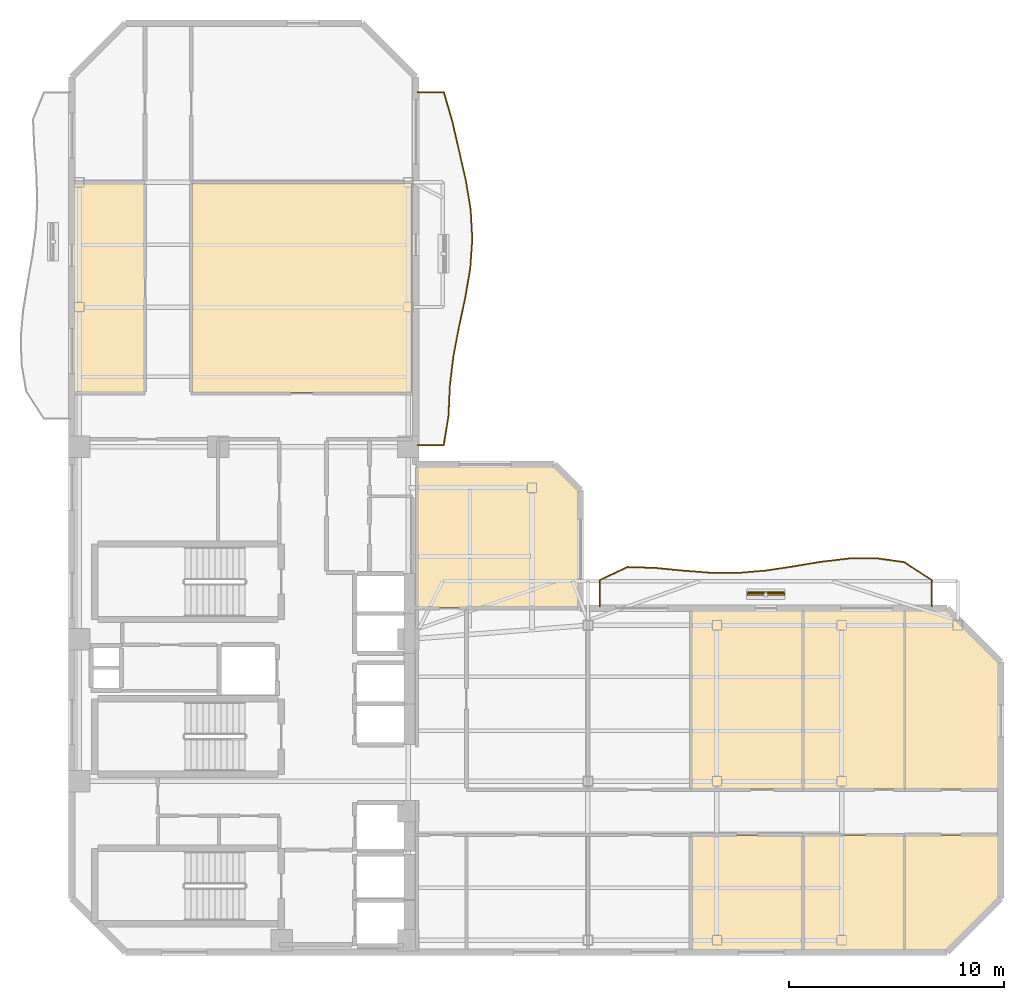
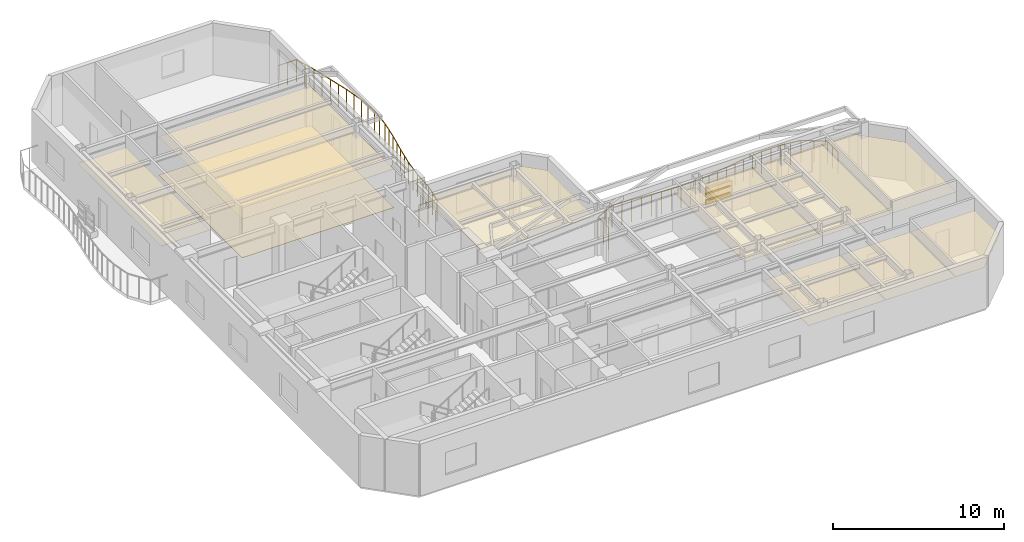
# One storey, part 8 of 9: 10 coverings, 4 shading devices, 2 railings.
"""IFC4 building model written with IfcOpenShell, lengths in metres."""

from ifc_helpers import new_model, si_unit, direction, frame, origin, origin_2d, place, context, subcontext, project, spatial, polyline, rectangle, outline, extrude, material, layer, layer_set, material_profile, profile_set, type_object, element, save


model = new_model("IFC4")

# Units and contexts
model_context = context("Model", 3, precision=1e-05, world=origin(), true_north=direction((0.0, 1.0)))
body_context = subcontext(model_context, "Body", "Model", "MODEL_VIEW")
ifc_project = project(units=[si_unit("LENGTHUNIT", "METRE"), si_unit("AREAUNIT", "SQUARE_METRE"), si_unit("VOLUMEUNIT", "CUBIC_METRE"), si_unit("PLANEANGLEUNIT", "RADIAN"), si_unit("MASSUNIT", "GRAM", prefix="KILO")], contexts=[model_context])

# Site, building, storey
site_placement = place(None, origin())
site = spatial("IfcSite", under=ifc_project, at=site_placement, CompositionType="ELEMENT")
building_placement = place(site_placement, origin())
building = spatial("IfcBuilding", under=site, at=building_placement, Name="Mawjaban Terraces University", CompositionType="ELEMENT")
storey_placement = place(building_placement, frame((0.0, 0.0, 210.89990234375)))
storey = spatial("IfcBuildingStorey", under=building, at=storey_placement, Name="L51", CompositionType="ELEMENT", Elevation=210.89990234375)

# Coverings
ifc_material_1 = material(Name="Acoustic mineral fibre ceiling tile", Category="masonry")
ifc_layer_1 = layer(ifc_material_1, 0.02001953125)
ifc_layer_set_1 = layer_set([ifc_layer_1], Name="Acoustic mineral fibre ceiling tile")
covering_type_1 = type_object("IfcCoveringType", Name="AcousticMineralCeiling_20", PredefinedType="CEILING", material=ifc_layer_set_1)
covering_1_placement = place(storey_placement, frame((0.0, 0.0, 2.75)))
element("IfcCovering", 1, at=covering_1_placement, inside=storey, type_object=covering_type_1, Name="L51 Design Studio 6 Acoustic Ceiling", PredefinedType="CEILING", context=body_context, shape_type="SweptSolid", body=[
    extrude(outline(polyline([(50.81689453125, 0.114990234375), (55.97607421875, 0.114990234375), (55.97607421875, 5.419921875), (50.81689453125, 5.419921875), (50.81689453125, 0.114990234375)])), origin(), (0.0, 0.0, 1.0), 0.02001953125),
])
covering_2_placement = place(storey_placement, frame((0.0, 0.0, 2.75)))
element("IfcCovering", 2, at=covering_2_placement, inside=storey, type_object=covering_type_1, Name="L51 Computational Laboratory 7 Acoustic Ceiling", PredefinedType="CEILING", context=body_context, shape_type="SweptSolid", body=[
    extrude(outline(polyline([(55.97607421875, 15.885009765625), (50.81689453125, 15.885009765625), (50.81689453125, 7.580078125), (55.97607421875, 7.580078125), (55.97607421875, 15.885009765625)])), origin(), (0.0, 0.0, 1.0), 0.02001953125),
])
covering_3_placement = place(storey_placement, frame((0.0, 0.0, 2.75)))
element("IfcCovering", 3, at=covering_3_placement, inside=storey, type_object=covering_type_1, Name="L51 Teaching Laboratory 8 Acoustic Ceiling", PredefinedType="CEILING", context=body_context, shape_type="SweptSolid", body=[
    extrude(outline(polyline([(56.035888671875, 0.114990234375), (60.697021484375, 0.114990234375), (60.697021484375, 5.419921875), (56.035888671875, 5.419921875), (56.035888671875, 0.114990234375)])), origin(), (0.0, 0.0, 1.0), 0.02001953125),
])
covering_4_placement = place(storey_placement, frame((0.0, 0.0, 2.75)))
element("IfcCovering", 4, at=covering_4_placement, inside=storey, type_object=covering_type_1, Name="L51 Student Tea Pantry 9 Acoustic Ceiling", PredefinedType="CEILING", context=body_context, shape_type="SweptSolid", body=[
    extrude(outline(polyline([(60.697021484375, 15.885009765625), (56.035888671875, 15.885009765625), (56.035888671875, 7.580078125), (60.697021484375, 7.580078125), (60.697021484375, 15.885009765625)])), origin(), (0.0, 0.0, 1.0), 0.02001953125),
])
covering_5_placement = place(storey_placement, frame((0.0, 0.0, 2.75)))
element("IfcCovering", 5, at=covering_5_placement, inside=storey, type_object=covering_type_1, Name="L51 Student Tea Pantry 10 Acoustic Ceiling", PredefinedType="CEILING", context=body_context, shape_type="SweptSolid", body=[
    extrude(outline(polyline([(60.757080078125, 0.114990234375), (62.653076171875, 0.114990234375), (65.0849609375, 2.547119140625), (65.0849609375, 5.419921875), (60.757080078125, 5.419921875), (60.757080078125, 0.114990234375)])), origin(), (0.0, 0.0, 1.0), 0.02001953125),
])
covering_6_placement = place(storey_placement, frame((0.0, 0.0, 2.75)))
element("IfcCovering", 6, at=covering_6_placement, inside=storey, type_object=covering_type_1, Name="L51 Faculty Office 11 Acoustic Ceiling", PredefinedType="CEILING", context=body_context, shape_type="SweptSolid", body=[
    extrude(outline(polyline([(65.0849609375, 7.580078125), (65.0849609375, 13.452880859375), (62.653076171875, 15.885009765625), (60.757080078125, 15.885009765625), (60.757080078125, 7.580078125), (65.0849609375, 7.580078125)])), origin(), (0.0, 0.0, 1.0), 0.02001953125),
])
covering_7_placement = place(storey_placement, frame((0.0, 0.0, 2.75)))
element("IfcCovering", 7, at=covering_7_placement, inside=storey, type_object=covering_type_1, Name="L51 Departmental Office 12 Acoustic Ceiling", PredefinedType="CEILING", context=body_context, shape_type="SweptSolid", body=[
    extrude(outline(polyline([(22.114990234375, 35.77001953125), (22.114990234375, 26.030029296875), (25.3701171875, 26.030029296875), (25.3701171875, 35.77001953125), (22.114990234375, 35.77001953125)])), origin(), (0.0, 0.0, 1.0), 0.02001953125),
])
covering_8_placement = place(storey_placement, frame((0.0, 0.0, 2.75)))
element("IfcCovering", 8, at=covering_8_placement, inside=storey, type_object=covering_type_1, Name="L51 Classroom 13 Acoustic Ceiling", PredefinedType="CEILING", context=body_context, shape_type="SweptSolid", body=[
    extrude(outline(polyline([(37.820068359375, 26.030029296875), (37.820068359375, 35.77001953125), (27.580078125, 35.77001953125), (27.580078125, 26.030029296875), (37.820068359375, 26.030029296875)])), origin(), (0.0, 0.0, 1.0), 0.02001953125),
])
covering_9_placement = place(storey_placement, frame((0.0, 0.0, 2.75)))
element("IfcCovering", 9, at=covering_9_placement, inside=storey, type_object=covering_type_1, Name="L51 Terrace Collaborative Study Room Acoustic Ceiling", PredefinedType="CEILING", context=body_context, shape_type="SweptSolid", body=[
    extrude(outline(polyline([(45.534912109375, 16.030029296875), (45.534912109375, 21.43603515625), (44.403076171875, 22.568115234375), (38.080078125, 22.568115234375), (38.080078125, 16.030029296875), (45.534912109375, 16.030029296875)])), origin(), (0.0, 0.0, 1.0), 0.02001953125),
])

# Railings
ifc_material_2 = material(Name="Galvanised powder-coated steel S355", Category="steel")
railing_type = type_object("IfcRailingType", Name="BalconyBalustrade_1600", PredefinedType="BALUSTRADE", material=ifc_material_2)
railing_1_placement = place(storey_placement, frame((46.550048828125, 16.080078125, 0.0)))
element("IfcRailing", 10, at=railing_1_placement, inside=storey, type_object=railing_type, Name="L51 Balcony Guardrail inner_north", PredefinedType="BALUSTRADE", context=body_context, shape_type="SweptSolid", body=[
    extrude(rectangle(XDim=0.048095703125, YDim=0.048095703125, at=origin_2d()), frame((0.0, 0.0, 1.576171875), z_axis=(0.0, 1.0, 0.0), x_axis=(-1.0, 0.0, 0.0)), (0.0, 0.0, 1.0), 1.219970703125),
    extrude(rectangle(XDim=0.048095703125, YDim=0.048095703125, at=origin_2d()), frame((0.0, 1.219970703125, 1.576171875), z_axis=(0.902794023945, 0.430073191828, 0.0), x_axis=(-0.430073191828, 0.902794023945, 0.0)), (0.0, 0.0, 1.0), 1.425537109375),
    extrude(rectangle(XDim=0.048095703125, YDim=0.048095703125, at=origin_2d()), frame((1.286865234375, 1.8330078125, 1.576171875), z_axis=(0.999517237479, -0.031069148398, 0.0), x_axis=(0.031069148398, 0.999517237479, 0.0)), (0.0, 0.0, 1.0), 1.288818359375),
    extrude(rectangle(XDim=0.048095703125, YDim=0.048095703125, at=origin_2d()), frame((2.574951171875, 1.79296875, 1.576171875), z_axis=(0.995317258019, -0.096662070582, 0.0), x_axis=(0.096662070582, 0.995317258019, 0.0)), (0.0, 0.0, 1.0), 1.293212890625),
    extrude(rectangle(XDim=0.048095703125, YDim=0.048095703125, at=origin_2d()), frame((3.862060546875, 1.66796875, 1.576171875), z_axis=(0.996934332319, -0.078242808262, 0.0), x_axis=(0.078242808262, 0.996934332319, 0.0)), (0.0, 0.0, 1.0), 1.291748046875),
    extrude(rectangle(XDim=0.048095703125, YDim=0.048095703125, at=origin_2d()), frame((5.14990234375, 1.56689453125, 1.576171875), z_axis=(0.999989638206, -0.004552304878, 0.0), x_axis=(0.004552304878, 0.999989638206, 0.0)), (0.0, 0.0, 1.0), 1.287109375),
    extrude(rectangle(XDim=0.048095703125, YDim=0.048095703125, at=origin_2d()), frame((6.43701171875, 1.56103515625, 1.576171875), z_axis=(0.99650787282, 0.083498858727, 0.0), x_axis=(-0.083498858727, 0.99650787282, 0.0)), (0.0, 0.0, 1.0), 1.292236328125),
    extrude(rectangle(XDim=0.048095703125, YDim=0.048095703125, at=origin_2d()), frame((7.724853515625, 1.6689453125, 1.576171875), z_axis=(0.988709611277, 0.149844267718, 0.0), x_axis=(-0.149844267718, 0.988709611277, 0.0)), (0.0, 0.0, 1.0), 1.3017578125),
    extrude(rectangle(XDim=0.048095703125, YDim=0.048095703125, at=origin_2d()), frame((9.011962890625, 1.864013671875, 1.576171875), z_axis=(0.986373705044, 0.164520254063, 0.0), x_axis=(-0.164520254063, 0.986373705044, 0.0)), (0.0, 0.0, 1.0), 1.305908203125),
    extrude(rectangle(XDim=0.048095703125, YDim=0.048095703125, at=origin_2d()), frame((10.300048828125, 2.078857421875, 1.576171875), z_axis=(0.993272166534, 0.115803295245, 0.0), x_axis=(-0.115803295245, 0.993272166534, 0.0)), (0.0, 0.0, 1.0), 1.296630859375),
    extrude(rectangle(XDim=0.048095703125, YDim=0.048095703125, at=origin_2d()), frame((11.587890625, 2.22900390625, 1.576171875), z_axis=(0.999956809998, 0.009293984008, 0.0), x_axis=(-0.009293984008, 0.999956809998, 0.0)), (0.0, 0.0, 1.0), 1.287109375),
    extrude(rectangle(XDim=0.048095703125, YDim=0.048095703125, at=origin_2d()), frame((12.875, 2.240966796875, 1.576171875), z_axis=(0.990365982476, -0.13847462134, 0.0), x_axis=(0.13847462134, 0.990365982476, 0.0)), (0.0, 0.0, 1.0), 1.29931640625),
    extrude(rectangle(XDim=0.048095703125, YDim=0.048095703125, at=origin_2d()), frame((14.161865234375, 2.06103515625, 1.576171875), z_axis=(0.837310536867, -0.546727596571, 0.0), x_axis=(0.546727596571, 0.837310536867, 0.0)), (0.0, 0.0, 1.0), 1.538330078125),
    extrude(rectangle(XDim=0.048095703125, YDim=0.048095703125, at=origin_2d()), frame((15.449951171875, 1.219970703125, 1.576171875), z_axis=(0.0, -1.0, 0.0), x_axis=(1.0, 0.0, 0.0)), (0.0, 0.0, 1.0), 1.219970703125),
    extrude(rectangle(XDim=0.0419921875, YDim=0.0419921875, at=origin_2d()), origin(), (0.0, 0.0, 1.0), 1.552001953125),
    extrude(rectangle(XDim=0.0419921875, YDim=0.0419921875, at=origin_2d()), frame((0.0, 0.60986328125, 0.0)), (0.0, 0.0, 1.0), 1.552001953125),
    extrude(rectangle(XDim=0.0419921875, YDim=0.0419921875, at=origin_2d()), frame((0.0, 1.219970703125, 0.0)), (0.0, 0.0, 1.0), 1.552001953125),
    extrude(rectangle(XDim=0.0419921875, YDim=0.0419921875, at=origin_2d()), frame((0.6435546875, 1.5263671875, 0.0)), (0.0, 0.0, 1.0), 1.552001953125),
    extrude(rectangle(XDim=0.0419921875, YDim=0.0419921875, at=origin_2d()), frame((1.286865234375, 1.8330078125, 0.0)), (0.0, 0.0, 1.0), 1.552001953125),
    extrude(rectangle(XDim=0.0419921875, YDim=0.0419921875, at=origin_2d()), frame((1.930908203125, 1.81298828125, 0.0)), (0.0, 0.0, 1.0), 1.552001953125),
    extrude(rectangle(XDim=0.0419921875, YDim=0.0419921875, at=origin_2d()), frame((2.574951171875, 1.79296875, 0.0)), (0.0, 0.0, 1.0), 1.552001953125),
    extrude(rectangle(XDim=0.0419921875, YDim=0.0419921875, at=origin_2d()), frame((3.218505859375, 1.73046875, 0.0)), (0.0, 0.0, 1.0), 1.552001953125),
    extrude(rectangle(XDim=0.0419921875, YDim=0.0419921875, at=origin_2d()), frame((3.862060546875, 1.66796875, 0.0)), (0.0, 0.0, 1.0), 1.552001953125),
    extrude(rectangle(XDim=0.0419921875, YDim=0.0419921875, at=origin_2d()), frame((4.505859375, 1.617431640625, 0.0)), (0.0, 0.0, 1.0), 1.552001953125),
    extrude(rectangle(XDim=0.0419921875, YDim=0.0419921875, at=origin_2d()), frame((5.14990234375, 1.56689453125, 0.0)), (0.0, 0.0, 1.0), 1.552001953125),
    extrude(rectangle(XDim=0.0419921875, YDim=0.0419921875, at=origin_2d()), frame((5.79345703125, 1.56396484375, 0.0)), (0.0, 0.0, 1.0), 1.552001953125),
    extrude(rectangle(XDim=0.0419921875, YDim=0.0419921875, at=origin_2d()), frame((6.43701171875, 1.56103515625, 0.0)), (0.0, 0.0, 1.0), 1.552001953125),
    extrude(rectangle(XDim=0.0419921875, YDim=0.0419921875, at=origin_2d()), frame((7.0810546875, 1.614990234375, 0.0)), (0.0, 0.0, 1.0), 1.552001953125),
    extrude(rectangle(XDim=0.0419921875, YDim=0.0419921875, at=origin_2d()), frame((7.724853515625, 1.6689453125, 0.0)), (0.0, 0.0, 1.0), 1.552001953125),
    extrude(rectangle(XDim=0.0419921875, YDim=0.0419921875, at=origin_2d()), frame((8.368408203125, 1.7666015625, 0.0)), (0.0, 0.0, 1.0), 1.552001953125),
    extrude(rectangle(XDim=0.0419921875, YDim=0.0419921875, at=origin_2d()), frame((9.011962890625, 1.864013671875, 0.0)), (0.0, 0.0, 1.0), 1.552001953125),
    extrude(rectangle(XDim=0.0419921875, YDim=0.0419921875, at=origin_2d()), frame((9.656005859375, 1.971435546875, 0.0)), (0.0, 0.0, 1.0), 1.552001953125),
    extrude(rectangle(XDim=0.0419921875, YDim=0.0419921875, at=origin_2d()), frame((10.300048828125, 2.078857421875, 0.0)), (0.0, 0.0, 1.0), 1.552001953125),
    extrude(rectangle(XDim=0.0419921875, YDim=0.0419921875, at=origin_2d()), frame((10.94384765625, 2.15380859375, 0.0)), (0.0, 0.0, 1.0), 1.552001953125),
    extrude(rectangle(XDim=0.0419921875, YDim=0.0419921875, at=origin_2d()), frame((11.587890625, 2.22900390625, 0.0)), (0.0, 0.0, 1.0), 1.552001953125),
    extrude(rectangle(XDim=0.0419921875, YDim=0.0419921875, at=origin_2d()), frame((12.2314453125, 2.23486328125, 0.0)), (0.0, 0.0, 1.0), 1.552001953125),
    extrude(rectangle(XDim=0.0419921875, YDim=0.0419921875, at=origin_2d()), frame((12.875, 2.240966796875, 0.0)), (0.0, 0.0, 1.0), 1.552001953125),
    extrude(rectangle(XDim=0.0419921875, YDim=0.0419921875, at=origin_2d()), frame((13.5185546875, 2.15087890625, 0.0)), (0.0, 0.0, 1.0), 1.552001953125),
    extrude(rectangle(XDim=0.0419921875, YDim=0.0419921875, at=origin_2d()), frame((14.161865234375, 2.06103515625, 0.0)), (0.0, 0.0, 1.0), 1.552001953125),
    extrude(rectangle(XDim=0.0419921875, YDim=0.0419921875, at=origin_2d()), frame((14.805908203125, 1.640625, 0.0)), (0.0, 0.0, 1.0), 1.552001953125),
    extrude(rectangle(XDim=0.0419921875, YDim=0.0419921875, at=origin_2d()), frame((15.449951171875, 1.219970703125, 0.0)), (0.0, 0.0, 1.0), 1.552001953125),
    extrude(rectangle(XDim=0.0419921875, YDim=0.0419921875, at=origin_2d()), frame((15.449951171875, 0.60986328125, 0.0)), (0.0, 0.0, 1.0), 1.552001953125),
    extrude(rectangle(XDim=0.0419921875, YDim=0.0419921875, at=origin_2d()), frame((15.449951171875, 0.0, 0.0)), (0.0, 0.0, 1.0), 1.552001953125),
])
railing_2_placement = place(storey_placement, frame((38.080078125, 23.5830078125, 0.0)))
element("IfcRailing", 11, at=railing_2_placement, inside=storey, type_object=railing_type, Name="L51 Balcony Guardrail inner_east", PredefinedType="BALUSTRADE", context=body_context, shape_type="SweptSolid", body=[
    extrude(rectangle(XDim=0.048095703125, YDim=0.048095703125, at=origin_2d()), frame((0.0, 0.0, 1.576171875), z_axis=(1.0, 0.0, 0.0), x_axis=(0.0, 1.0, 0.0)), (0.0, 0.0, 1.0), 1.219970703125),
    extrude(rectangle(XDim=0.048095703125, YDim=0.048095703125, at=origin_2d()), frame((1.219970703125, 0.0, 1.576171875), z_axis=(0.158767049777, 0.987316070924, 0.0), x_axis=(-0.987316070924, 0.158767049777, 0.0)), (0.0, 0.0, 1.0), 1.385498046875),
    extrude(rectangle(XDim=0.048095703125, YDim=0.048095703125, at=origin_2d()), frame((1.43994140625, 1.367919921875, 1.576171875), z_axis=(0.044566667223, 0.999006412478, 0.0), x_axis=(-0.999006412478, 0.044566667223, 0.0)), (0.0, 0.0, 1.0), 1.36962890625),
    extrude(rectangle(XDim=0.048095703125, YDim=0.048095703125, at=origin_2d()), frame((1.5009765625, 2.736083984375, 1.576171875), z_axis=(0.11820872912, 0.992988769503, 0.0), x_axis=(-0.992988769503, 0.11820872912, 0.0)), (0.0, 0.0, 1.0), 1.377685546875),
    extrude(rectangle(XDim=0.048095703125, YDim=0.048095703125, at=origin_2d()), frame((1.663818359375, 4.10400390625, 1.576171875), z_axis=(0.186056389614, 0.982539067866, 0.0), x_axis=(-0.982539067866, 0.186056389614, 0.0)), (0.0, 0.0, 1.0), 1.392333984375),
    extrude(rectangle(XDim=0.048095703125, YDim=0.048095703125, at=origin_2d()), frame((1.9228515625, 5.471923828125, 1.576171875), z_axis=(0.209386091111, 0.977833045488, 0.0), x_axis=(-0.977833045488, 0.209386091111, 0.0)), (0.0, 0.0, 1.0), 1.399169921875),
    extrude(rectangle(XDim=0.048095703125, YDim=0.048095703125, at=origin_2d()), frame((2.2158203125, 6.840087890625, 1.576171875), z_axis=(0.1687050248, 0.985666583895, 0.0), x_axis=(-0.985666583895, 0.1687050248, 0.0)), (0.0, 0.0, 1.0), 1.3876953125),
    extrude(rectangle(XDim=0.048095703125, YDim=0.048095703125, at=origin_2d()), frame((2.449951171875, 8.2080078125, 1.576171875), z_axis=(0.070627536064, 0.997502757465, 0.0), x_axis=(-0.997502757465, 0.070627536064, 0.0)), (0.0, 0.0, 1.0), 1.372314453125),
    extrude(rectangle(XDim=0.048095703125, YDim=0.048095703125, at=origin_2d()), frame((2.546875, 9.576904296875, 1.576171875), z_axis=(-0.055410812325, 0.998463640739, 0.0), x_axis=(-0.998463640739, -0.055410812325, 0.0)), (0.0, 0.0, 1.0), 1.370361328125),
    extrude(rectangle(XDim=0.048095703125, YDim=0.048095703125, at=origin_2d()), frame((2.470947265625, 10.945068359375, 1.576171875), z_axis=(-0.164427535336, 0.986389165402, 0.0), x_axis=(-0.986389165402, -0.164427535336, 0.0)), (0.0, 0.0, 1.0), 1.38671875),
    extrude(rectangle(XDim=0.048095703125, YDim=0.048095703125, at=origin_2d()), frame((2.242919921875, 12.31298828125, 1.576171875), z_axis=(-0.221718889564, 0.97511062655, 0.0), x_axis=(-0.97511062655, -0.221718889564, 0.0)), (0.0, 0.0, 1.0), 1.40283203125),
    extrude(rectangle(XDim=0.048095703125, YDim=0.048095703125, at=origin_2d()), frame((1.931884765625, 13.680908203125, 1.576171875), z_axis=(-0.223004280965, 0.974817465309, 0.0), x_axis=(-0.974817465309, -0.223004280965, 0.0)), (0.0, 0.0, 1.0), 1.403564453125),
    extrude(rectangle(XDim=0.048095703125, YDim=0.048095703125, at=origin_2d()), frame((1.618896484375, 15.049072265625, 1.576171875), z_axis=(-0.279967102844, 0.960009594392, 0.0), x_axis=(-0.960009594392, -0.279967102844, 0.0)), (0.0, 0.0, 1.0), 1.4248046875),
    extrude(rectangle(XDim=0.048095703125, YDim=0.048095703125, at=origin_2d()), frame((1.219970703125, 16.4169921875, 1.576171875), z_axis=(-1.0, 0.0, 0.0), x_axis=(0.0, -1.0, 0.0)), (0.0, 0.0, 1.0), 1.219970703125),
    extrude(rectangle(XDim=0.0419921875, YDim=0.0419921875, at=origin_2d()), origin(), (0.0, 0.0, 1.0), 1.552001953125),
    extrude(rectangle(XDim=0.0419921875, YDim=0.0419921875, at=origin_2d()), frame((0.60986328125, 0.0, 0.0)), (0.0, 0.0, 1.0), 1.552001953125),
    extrude(rectangle(XDim=0.0419921875, YDim=0.0419921875, at=origin_2d()), frame((1.219970703125, 0.0, 0.0)), (0.0, 0.0, 1.0), 1.552001953125),
    extrude(rectangle(XDim=0.0419921875, YDim=0.0419921875, at=origin_2d()), frame((1.330078125, 0.68408203125, 0.0)), (0.0, 0.0, 1.0), 1.552001953125),
    extrude(rectangle(XDim=0.0419921875, YDim=0.0419921875, at=origin_2d()), frame((1.43994140625, 1.367919921875, 0.0)), (0.0, 0.0, 1.0), 1.552001953125),
    extrude(rectangle(XDim=0.0419921875, YDim=0.0419921875, at=origin_2d()), frame((1.470458984375, 2.052001953125, 0.0)), (0.0, 0.0, 1.0), 1.552001953125),
    extrude(rectangle(XDim=0.0419921875, YDim=0.0419921875, at=origin_2d()), frame((1.5009765625, 2.736083984375, 0.0)), (0.0, 0.0, 1.0), 1.552001953125),
    extrude(rectangle(XDim=0.0419921875, YDim=0.0419921875, at=origin_2d()), frame((1.58251953125, 3.419921875, 0.0)), (0.0, 0.0, 1.0), 1.552001953125),
    extrude(rectangle(XDim=0.0419921875, YDim=0.0419921875, at=origin_2d()), frame((1.663818359375, 4.10400390625, 0.0)), (0.0, 0.0, 1.0), 1.552001953125),
    extrude(rectangle(XDim=0.0419921875, YDim=0.0419921875, at=origin_2d()), frame((1.79345703125, 4.7880859375, 0.0)), (0.0, 0.0, 1.0), 1.552001953125),
    extrude(rectangle(XDim=0.0419921875, YDim=0.0419921875, at=origin_2d()), frame((1.9228515625, 5.471923828125, 0.0)), (0.0, 0.0, 1.0), 1.552001953125),
    extrude(rectangle(XDim=0.0419921875, YDim=0.0419921875, at=origin_2d()), frame((2.0693359375, 6.156005859375, 0.0)), (0.0, 0.0, 1.0), 1.552001953125),
    extrude(rectangle(XDim=0.0419921875, YDim=0.0419921875, at=origin_2d()), frame((2.2158203125, 6.840087890625, 0.0)), (0.0, 0.0, 1.0), 1.552001953125),
    extrude(rectangle(XDim=0.0419921875, YDim=0.0419921875, at=origin_2d()), frame((2.3330078125, 7.52392578125, 0.0)), (0.0, 0.0, 1.0), 1.552001953125),
    extrude(rectangle(XDim=0.0419921875, YDim=0.0419921875, at=origin_2d()), frame((2.449951171875, 8.2080078125, 0.0)), (0.0, 0.0, 1.0), 1.552001953125),
    extrude(rectangle(XDim=0.0419921875, YDim=0.0419921875, at=origin_2d()), frame((2.49853515625, 8.892578125, 0.0)), (0.0, 0.0, 1.0), 1.552001953125),
    extrude(rectangle(XDim=0.0419921875, YDim=0.0419921875, at=origin_2d()), frame((2.546875, 9.576904296875, 0.0)), (0.0, 0.0, 1.0), 1.552001953125),
    extrude(rectangle(XDim=0.0419921875, YDim=0.0419921875, at=origin_2d()), frame((2.5087890625, 10.260986328125, 0.0)), (0.0, 0.0, 1.0), 1.552001953125),
    extrude(rectangle(XDim=0.0419921875, YDim=0.0419921875, at=origin_2d()), frame((2.470947265625, 10.945068359375, 0.0)), (0.0, 0.0, 1.0), 1.552001953125),
    extrude(rectangle(XDim=0.0419921875, YDim=0.0419921875, at=origin_2d()), frame((2.35693359375, 11.62890625, 0.0)), (0.0, 0.0, 1.0), 1.552001953125),
    extrude(rectangle(XDim=0.0419921875, YDim=0.0419921875, at=origin_2d()), frame((2.242919921875, 12.31298828125, 0.0)), (0.0, 0.0, 1.0), 1.552001953125),
    extrude(rectangle(XDim=0.0419921875, YDim=0.0419921875, at=origin_2d()), frame((2.08740234375, 12.9970703125, 0.0)), (0.0, 0.0, 1.0), 1.552001953125),
    extrude(rectangle(XDim=0.0419921875, YDim=0.0419921875, at=origin_2d()), frame((1.931884765625, 13.680908203125, 0.0)), (0.0, 0.0, 1.0), 1.552001953125),
    extrude(rectangle(XDim=0.0419921875, YDim=0.0419921875, at=origin_2d()), frame((1.775390625, 14.364990234375, 0.0)), (0.0, 0.0, 1.0), 1.552001953125),
    extrude(rectangle(XDim=0.0419921875, YDim=0.0419921875, at=origin_2d()), frame((1.618896484375, 15.049072265625, 0.0)), (0.0, 0.0, 1.0), 1.552001953125),
    extrude(rectangle(XDim=0.0419921875, YDim=0.0419921875, at=origin_2d()), frame((1.41943359375, 15.73291015625, 0.0)), (0.0, 0.0, 1.0), 1.552001953125),
    extrude(rectangle(XDim=0.0419921875, YDim=0.0419921875, at=origin_2d()), frame((1.219970703125, 16.4169921875, 0.0)), (0.0, 0.0, 1.0), 1.552001953125),
    extrude(rectangle(XDim=0.0419921875, YDim=0.0419921875, at=origin_2d()), frame((0.60986328125, 16.4169921875, 0.0)), (0.0, 0.0, 1.0), 1.552001953125),
    extrude(rectangle(XDim=0.0419921875, YDim=0.0419921875, at=origin_2d()), frame((0.0, 16.4169921875, 0.0)), (0.0, 0.0, 1.0), 1.552001953125),
])

# Shading devices
ifc_material_3 = material(Name="Glazed architectural terracotta ceramic", Category="masonry")
ifc_material_profile = material_profile(ifc_material_3, rectangle(XDim=0.06494140625, YDim=0.110107421875, at=origin_2d()), Name="TBAG110X65")
ifc_profile_set = profile_set([ifc_material_profile], Name="Glazed architectural terracotta ceramic")
shading_device_type_1 = type_object("IfcShadingDeviceType", Name="TerracottaBaguette_110x65", PredefinedType="USERDEFINED", material=ifc_profile_set)
for number, where, z_axis, x_axis, name in (
    (12, (53.425048828125, 16.72998046875, 0.68017578125), (1.0, 0.0, 0.0), (0.0, 1.0, 0.0), "L51 Horizontal Terracotta Baguette inner_north.1"),
    (13, (53.425048828125, 16.72998046875, 1.150146484375), (1.0, 0.0, 0.0), (0.0, 1.0, 0.0), "L51 Horizontal Terracotta Baguette inner_north.2"),
    (14, (53.425048828125, 16.72998046875, 1.6201171875), (1.0, 0.0, 0.0), (0.0, 1.0, 0.0), "L51 Horizontal Terracotta Baguette inner_north.3"),
):
    element("IfcShadingDevice", number, at=place(storey_placement, frame(where, z_axis=z_axis, x_axis=x_axis)), inside=storey, type_object=shading_device_type_1, Name=name, ObjectType="BAGUETTE", PredefinedType="USERDEFINED", context=body_context, shape_type="SweptSolid", body=[
        extrude(rectangle(XDim=0.06494140625, YDim=0.110107421875, at=origin_2d()), origin(), (0.0, 0.0, 1.0), 1.699951171875),
    ])
ifc_layer_2 = layer(ifc_material_3, 0.080078125)
ifc_layer_set_2 = layer_set([ifc_layer_2], Name="Glazed architectural terracotta ceramic")
shading_device_type_2 = type_object("IfcShadingDeviceType", Name="TerracottaScreen_Perforated", PredefinedType="USERDEFINED", material=ifc_layer_set_2)
shading_device_placement = place(storey_placement, frame((54.27490234375, 16.64501953125, 0.440185546875), z_axis=(0.0, 0.0, 1.0), x_axis=(1.0, 0.0, 0.0)))
element("IfcShadingDevice", 15, at=shading_device_placement, inside=storey, type_object=shading_device_type_2, Name="L51 Balcony Perforated Terracotta Screen inner_north", ObjectType="SCREEN", PredefinedType="USERDEFINED", context=body_context, shape_type="SweptSolid", body=[
    extrude(rectangle(XDim=1.75, YDim=0.080078125, at=origin_2d()), origin(), (0.0, 0.0, 1.0), 1.14990234375),
])

# Covering
ifc_material_4 = material(Name="Polished Hijazi granite terrazzo flooring", Category="masonry")
ifc_layer_3 = layer(ifc_material_4, 0.02490234375)
ifc_layer_set_3 = layer_set([ifc_layer_3], Name="Polished Hijazi granite terrazzo flooring")
covering_type_2 = type_object("IfcCoveringType", Name="TerrazzoConcourseFlooring_25", PredefinedType="FLOORING", material=ifc_layer_set_3)
covering_10_placement = place(storey_placement, origin())
element("IfcCovering", 16, at=covering_10_placement, inside=storey, type_object=covering_type_2, Name="L51 Classroom 13 Terrazzo Flooring", PredefinedType="FLOORING", context=body_context, shape_type="SweptSolid", body=[
    extrude(outline(polyline([(37.820068359375, 26.030029296875), (37.820068359375, 35.77001953125), (27.580078125, 35.77001953125), (27.580078125, 26.030029296875), (37.820068359375, 26.030029296875)])), origin(), (0.0, 0.0, 1.0), 0.025146484375),
])

save(model, "model.ifc")
